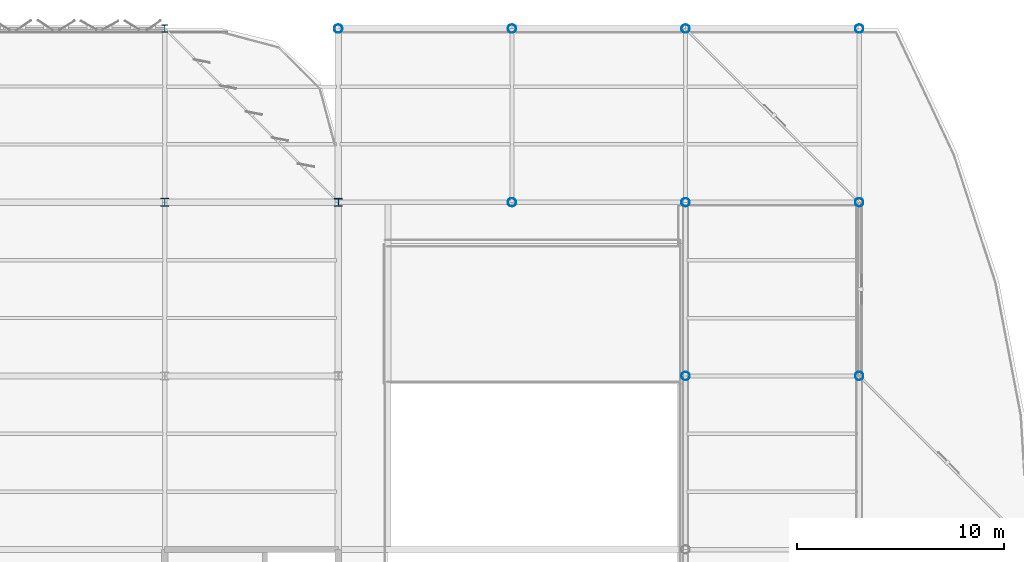
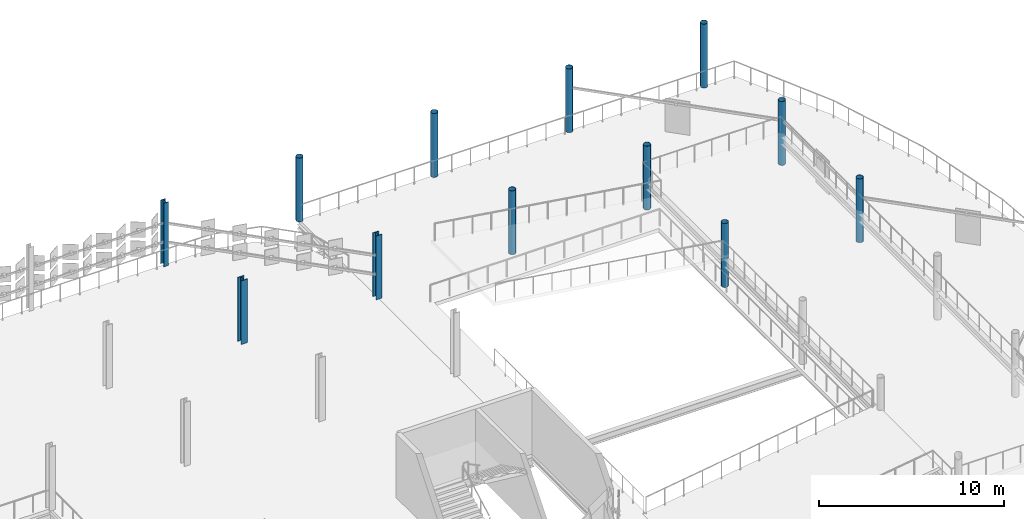
# One storey, part 24 of 163: 12 columns.
"""IFC4 building model written with IfcOpenShell, lengths in metres."""

from ifc_helpers import new_model, si_unit, direction, frame, origin, origin_2d, place, context, subcontext, project, spatial, hollow_circle, i_section, extrude, material, material_profile, profile_set, type_object, element, save


model = new_model("IFC4")

# Units and contexts
model_context = context("Model", 3, precision=1e-05, world=origin(), true_north=direction((0.0, 1.0)))
body_context = subcontext(model_context, "Body", "Model", "MODEL_VIEW")
ifc_project = project(units=[si_unit("LENGTHUNIT", "METRE"), si_unit("AREAUNIT", "SQUARE_METRE"), si_unit("VOLUMEUNIT", "CUBIC_METRE"), si_unit("PLANEANGLEUNIT", "RADIAN"), si_unit("MASSUNIT", "GRAM", prefix="KILO")], contexts=[model_context])

# Site, building, storey
site_placement = place(None, origin())
site = spatial("IfcSite", under=ifc_project, at=site_placement, CompositionType="ELEMENT")
building_placement = place(site_placement, origin())
building = spatial("IfcBuilding", under=site, at=building_placement, Name="Qalvenar Corner Mobility Hub", CompositionType="ELEMENT")
storey_placement = place(building_placement, frame((0.0, 0.0, 4.800048828125)))
storey = spatial("IfcBuildingStorey", under=building, at=storey_placement, Name="L01", CompositionType="ELEMENT", Elevation=4.800048828125)

# Columns
ifc_material = material(Name="Steel S355", Category="steel")
ifc_material_profile_1 = material_profile(ifc_material, hollow_circle(Radius=0.203125, WallThickness=0.012451171875, at=origin_2d()), Name="CHS406.4x12.5")
ifc_profile_set_1 = profile_set([ifc_material_profile_1], Name="Steel S355")
column_type_1 = type_object("IfcColumnType", Name="COL-CHS406", PredefinedType="COLUMN", material=ifc_profile_set_1)
for number, where, z_axis, x_axis, name in (
    (1, (142.800048828125, 117.60009765625, 0.0), (0.0, 0.0, 1.0), (1.0, 0.0, 0.0), "Steel Column L01-G18-14"),
    (2, (151.199951171875, 109.199951171875, 0.0), (0.0, 0.0, 1.0), (1.0, 0.0, 0.0), "Steel Column L01-G19-13"),
    (3, (151.199951171875, 117.60009765625, 0.0), (0.0, 0.0, 1.0), (1.0, 0.0, 0.0), "Steel Column L01-G19-14"),
    (4, (159.60009765625, 100.800048828125, 0.0), (0.0, 0.0, 1.0), (1.0, 0.0, 0.0), "Steel Column L01-G20-12"),
    (5, (159.60009765625, 109.199951171875, 0.0), (0.0, 0.0, 1.0), (1.0, 0.0, 0.0), "Steel Column L01-G20-13"),
    (6, (159.60009765625, 117.60009765625, 0.0), (0.0, 0.0, 1.0), (1.0, 0.0, 0.0), "Steel Column L01-G20-14"),
    (7, (168.0, 100.800048828125, 0.0), (0.0, 0.0, 1.0), (1.0, 0.0, 0.0), "Steel Column L01-G21-12"),
    (8, (168.0, 109.199951171875, 0.0), (0.0, 0.0, 1.0), (1.0, 0.0, 0.0), "Steel Column L01-G21-13"),
    (9, (168.0, 117.60009765625, 0.0), (0.0, 0.0, 1.0), (1.0, 0.0, 0.0), "Steel Column L01-G21-14"),
):
    element("IfcColumn", number, at=place(storey_placement, frame(where, z_axis=z_axis, x_axis=x_axis)), inside=storey, type_object=column_type_1, Name=name, PredefinedType="COLUMN", context=body_context, shape_type="SweptSolid", body=[
        extrude(hollow_circle(Radius=0.203125, WallThickness=0.012451171875, at=origin_2d()), origin(), (0.0, 0.0, 1.0), 4.199951171875),
    ])
ifc_material_profile_2 = material_profile(ifc_material, i_section(OverallWidth=0.376953125, OverallDepth=0.386962890625, WebThickness=0.0224609375, FlangeThickness=0.035888671875, FilletRadius=0.014892578125, at=origin_2d()), Name="HD360x262")
ifc_profile_set_2 = profile_set([ifc_material_profile_2], Name="Steel S355")
column_type_2 = type_object("IfcColumnType", Name="COL-HD360X262", PredefinedType="COLUMN", material=ifc_profile_set_2)
column_1_placement = place(storey_placement, frame((142.800048828125, 109.199951171875, 0.0), z_axis=(0.0, 0.0, 1.0), x_axis=(1.0, 0.0, 0.0)))
element("IfcColumn", 10, at=column_1_placement, inside=storey, type_object=column_type_2, Name="Steel Column L01-G18-13", PredefinedType="COLUMN", context=body_context, shape_type="SweptSolid", body=[
    extrude(i_section(OverallWidth=0.376953125, OverallDepth=0.386962890625, WebThickness=0.0224609375, FlangeThickness=0.035888671875, FilletRadius=0.014892578125, at=origin_2d()), origin(), (0.0, 0.0, 1.0), 4.199951171875),
])
ifc_material_profile_3 = material_profile(ifc_material, i_section(OverallWidth=0.40087890625, OverallDepth=0.39892578125, WebThickness=0.02490234375, FlangeThickness=0.03955078125, FilletRadius=0.014892578125, at=origin_2d()), Name="HD400x314")
ifc_profile_set_3 = profile_set([ifc_material_profile_3], Name="Steel S355")
column_type_3 = type_object("IfcColumnType", Name="COL-HD400X314", PredefinedType="COLUMN", material=ifc_profile_set_3)
column_2_placement = place(storey_placement, frame((134.39990234375, 109.199951171875, 0.0), z_axis=(0.0, 0.0, 1.0), x_axis=(1.0, 0.0, 0.0)))
element("IfcColumn", 11, at=column_2_placement, inside=storey, type_object=column_type_3, Name="Steel Column L01-G17-13", PredefinedType="COLUMN", context=body_context, shape_type="SweptSolid", body=[
    extrude(i_section(OverallWidth=0.40087890625, OverallDepth=0.39892578125, WebThickness=0.02490234375, FlangeThickness=0.03955078125, FilletRadius=0.014892578125, at=origin_2d()), origin(), (0.0, 0.0, 1.0), 4.199951171875),
])
ifc_material_profile_4 = material_profile(ifc_material, i_section(OverallWidth=0.300048828125, OverallDepth=0.360107421875, WebThickness=0.012451171875, FlangeThickness=0.0224609375, FilletRadius=0.027099609375, at=origin_2d()), Name="HEB360")
ifc_profile_set_4 = profile_set([ifc_material_profile_4], Name="Steel S355")
column_type_4 = type_object("IfcColumnType", Name="COL-HEB360", PredefinedType="COLUMN", material=ifc_profile_set_4)
column_3_placement = place(storey_placement, frame((134.39990234375, 117.60009765625, 0.0), z_axis=(0.0, 0.0, 1.0), x_axis=(1.0, 0.0, 0.0)))
element("IfcColumn", 12, at=column_3_placement, inside=storey, type_object=column_type_4, Name="Steel Column L01-G17-14", PredefinedType="COLUMN", context=body_context, shape_type="SweptSolid", body=[
    extrude(i_section(OverallWidth=0.300048828125, OverallDepth=0.360107421875, WebThickness=0.012451171875, FlangeThickness=0.0224609375, FilletRadius=0.027099609375, at=origin_2d()), origin(), (0.0, 0.0, 1.0), 4.199951171875),
])

save(model, "model.ifc")
